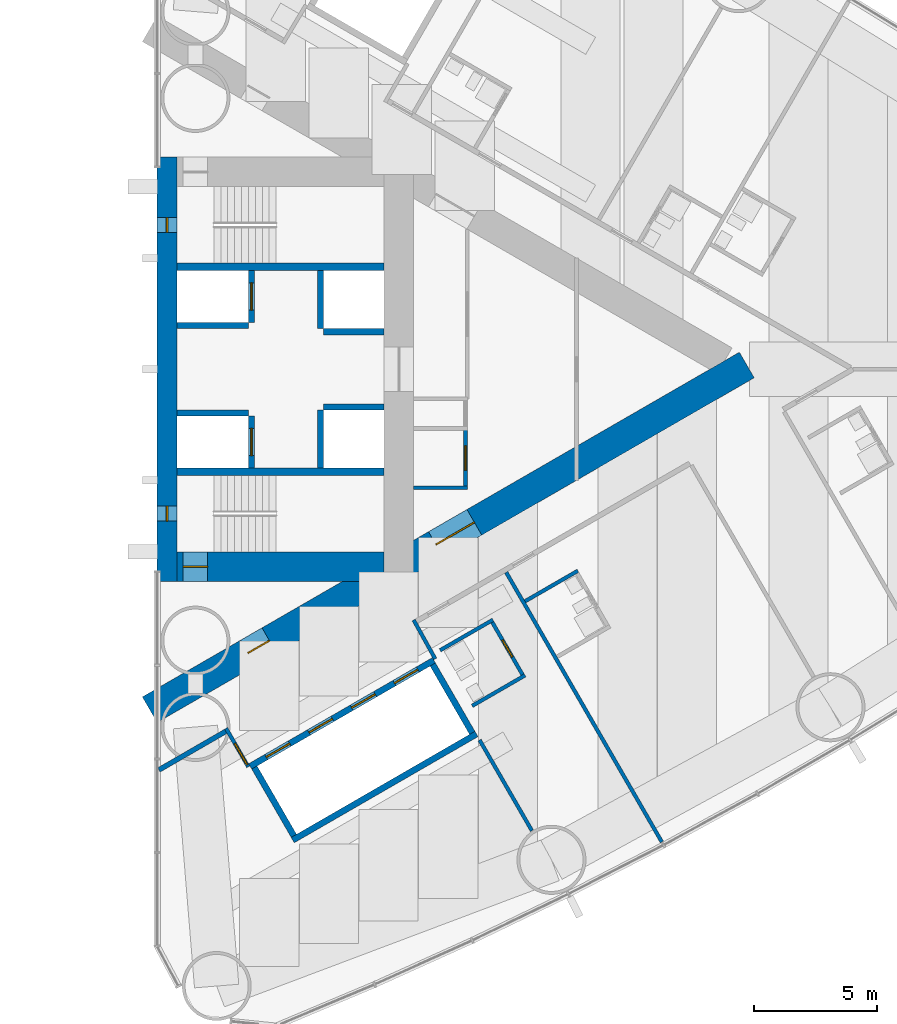
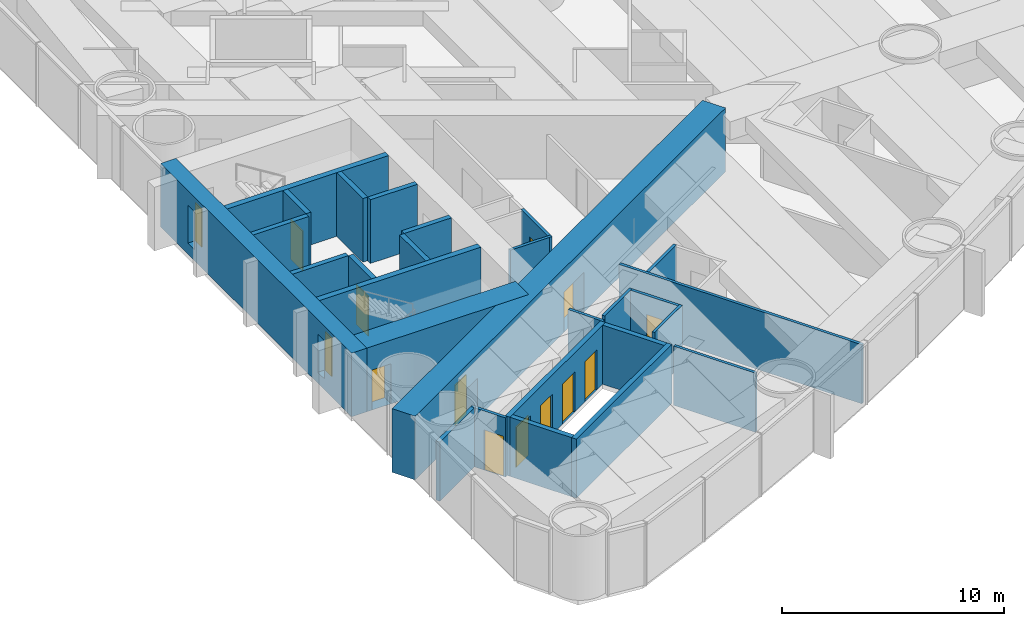
# One storey, part 13 of 18: 28 walls, 12 doors, 2 windows, 14 openings.
"""IFC4 building model written with IfcOpenShell, lengths in metres."""

from ifc_helpers import new_model, si_unit, direction, frame, frame_2d, origin, place, context, subcontext, project, spatial, rectangle, extrude, material, layer, layer_set, type_object, element, fill, save


model = new_model("IFC4")

# Units and contexts
model_context = context("Model", 3, precision=1e-05, world=origin(), true_north=direction((0.0, 1.0)))
body_context = subcontext(model_context, "Body", "Model", "MODEL_VIEW")
ifc_project = project(units=[si_unit("LENGTHUNIT", "METRE"), si_unit("AREAUNIT", "SQUARE_METRE"), si_unit("VOLUMEUNIT", "CUBIC_METRE"), si_unit("PLANEANGLEUNIT", "RADIAN"), si_unit("MASSUNIT", "GRAM", prefix="KILO")], contexts=[model_context])

# Site, building, storey
site_placement = place(None, origin())
site = spatial("IfcSite", under=ifc_project, at=site_placement, CompositionType="ELEMENT")
building_placement = place(site_placement, origin())
building = spatial("IfcBuilding", under=site, at=building_placement, Name="Lancet Gate Hotel", CompositionType="ELEMENT")
storey_placement = place(building_placement, frame((0.0, 0.0, 56.5)))
storey = spatial("IfcBuildingStorey", under=building, at=storey_placement, Name="L14", CompositionType="ELEMENT", Elevation=56.5)

# Walls
ifc_material_1 = material(Name="Moisture resistant board partition")
ifc_layer_1 = layer(ifc_material_1, 0.14990234375)
ifc_layer_set_1 = layer_set([ifc_layer_1], Name="Bathroom wall 150")
wall_type_1 = type_object("IfcWallType", Name="Bathroom wall 150", PredefinedType="PARTITIONING", material=ifc_layer_set_1)
wall_1_placement = place(storey_placement, frame((42.412353515625, -9.405029296875, 0.0), z_axis=(0.0, 0.0, 1.0), x_axis=(0.866006523861, 0.500032699561, 0.0)))
element("IfcWall", 1, at=wall_1_placement, inside=storey, type_object=wall_type_1, Name="T2 bathroom wall 150 L14", PredefinedType="PARTITIONING", context=body_context, shape_type="SweptSolid", body=[
    extrude(rectangle(XDim=2.474853515625, YDim=0.14990234375, at=frame_2d((1.2373046875, 0.0))), origin(), (0.0, 0.0, 1.0), 3.25),
])
wall_2_placement = place(storey_placement, frame((40.269775390625, -13.644287109375, 0.0), z_axis=(0.0, 0.0, 1.0), x_axis=(0.866031185235, 0.4999899861, 0.0)))
element("IfcWall", 2, at=wall_2_placement, inside=storey, type_object=wall_type_1, Name="T2 bathroom wall 150 L14", PredefinedType="PARTITIONING", context=body_context, shape_type="SweptSolid", body=[
    extrude(rectangle(XDim=2.47509765625, YDim=0.14990234375, at=frame_2d((1.237548828125, 0.0))), origin(), (0.0, 0.0, 1.0), 3.25),
])

# Wall, opening, door
wall_3_placement = place(storey_placement, frame((41.04833984375, -10.192626953125, 0.0), z_axis=(0.0, 0.0, 1.0), x_axis=(0.500047596559, -0.865997922154, 0.0)))
wall_3 = element("IfcWall", 3, at=wall_3_placement, inside=storey, type_object=wall_type_1, Name="T2 bathroom wall 150 L14", PredefinedType="PARTITIONING", context=body_context, shape_type="SweptSolid", body=[
    extrude(rectangle(XDim=2.599853515625, YDim=0.14990234375, at=frame_2d((1.2998046875, 0.0))), origin(), (0.0, 0.0, 1.0), 3.25),
])
opening_1_placement = place(wall_3_placement, frame((0.89990234375, 0.0, 0.0)))
opening_1 = element("IfcOpeningElement", 4, at=opening_1_placement, cuts=wall_3, Name="Opening 1453-B", PredefinedType="OPENING", context=body_context, shape_type="SweptSolid", body=[
    extrude(rectangle(XDim=0.800048828125, YDim=2.199951171875, at=frame_2d((0.39990234375, 1.10009765625))), frame((0.0, 0.0849609375, 0.0), z_axis=(0.0, -1.0, 0.0), x_axis=(1.0, 0.0, 0.0)), (0.0, 0.0, 1.0), 0.169921875),
])
ifc_material_2 = material(Name="Timber door set", Category="wood")
door_type_1 = type_object("IfcDoorType", Name="Bathroom door 800", OperationType="SINGLE_SWING_RIGHT", PredefinedType="DOOR", material=ifc_material_2)
door_1_placement = place(opening_1_placement, origin())
door_1 = element("IfcDoor", 5, at=door_1_placement, inside=storey, type_object=door_type_1, Name="1453-B", OperationType="SINGLE_SWING_RIGHT", OverallHeight=2.199951171875, OverallWidth=0.800048828125, PredefinedType="DOOR", context=body_context, shape_type="SweptSolid", body=[
    extrude(rectangle(XDim=0.800048828125, YDim=2.199951171875, at=frame_2d((0.39990234375, 1.10009765625))), frame((0.0, 0.02490234375, 0.0), z_axis=(0.0, -1.0, 0.0), x_axis=(1.0, 0.0, 0.0)), (0.0, 0.0, 1.0), 0.050048828125),
])
fill(opening_1, door_1)

# Wall
wall_4_placement = place(storey_placement, frame((38.9697265625, -11.392578125, 0.0), z_axis=(0.0, 0.0, 1.0), x_axis=(0.866031185235, 0.4999899861, 0.0)))
element("IfcWall", 6, at=wall_4_placement, inside=storey, type_object=wall_type_1, Name="T2 bathroom wall 150 L14", PredefinedType="PARTITIONING", context=body_context, shape_type="SweptSolid", body=[
    extrude(rectangle(XDim=2.47509765625, YDim=0.14990234375, at=frame_2d((1.237548828125, 0.0))), origin(), (0.0, 0.0, 1.0), 3.25),
])

# Wall, openings, doors
ifc_material_3 = material(Name="Concrete C70/85", Category="concrete")
ifc_layer_2 = layer(ifc_material_3, 1.199951171875)
ifc_layer_set_2 = layer_set([ifc_layer_2], Name="Buttress wall 1200")
wall_type_2 = type_object("IfcWallType", Name="Buttress wall 1200", PredefinedType="SHEAR", material=ifc_layer_set_2)
wall_5_placement = place(storey_placement, frame((27.199951171875, -13.800048828125, 0.0), z_axis=(0.0, 0.0, 1.0), x_axis=(0.866027159892, 0.499996958321, 0.0)))
wall_5 = element("IfcWall", 7, at=wall_5_placement, inside=storey, type_object=wall_type_2, Name="T2 buttress wall S L14", PredefinedType="SHEAR", context=body_context, shape_type="SweptSolid", body=[
    extrude(rectangle(XDim=27.946533203125, YDim=1.199951171875, at=frame_2d((13.97314453125, 0.0))), origin(), (0.0, 0.0, 1.0), 3.5),
])
opening_2_placement = place(wall_5_placement, frame((4.60009765625, 0.0, 0.0)))
opening_2 = element("IfcOpeningElement", 8, at=opening_2_placement, cuts=wall_5, Name="Opening T2-L14-LS", PredefinedType="OPENING", context=body_context, shape_type="SweptSolid", body=[
    extrude(rectangle(XDim=1.0, YDim=2.199951171875, at=frame_2d((0.5, 1.10009765625))), frame((0.0, 0.60986328125, 0.0), z_axis=(0.0, -1.0, 0.0), x_axis=(1.0, 0.0, 0.0)), (0.0, 0.0, 1.0), 1.219970703125),
])
opening_3_placement = place(wall_5_placement, frame((13.39453125, 0.0, 0.0)))
opening_3 = element("IfcOpeningElement", 9, at=opening_3_placement, cuts=wall_5, Name="Opening T2-L14-LHS", PredefinedType="OPENING", context=body_context, shape_type="SweptSolid", body=[
    extrude(rectangle(XDim=1.800048828125, YDim=2.199951171875, at=frame_2d((0.89990234375, 1.10009765625))), frame((0.0, 0.60986328125, 0.0), z_axis=(0.0, -1.0, 0.0), x_axis=(1.0, 0.0, 0.0)), (0.0, 0.0, 1.0), 1.219970703125),
])
ifc_material_4 = material(Name="Timber door set", Category="wood")
door_type_2 = type_object("IfcDoorType", Name="Lobby double door 1800", OperationType="DOUBLE_DOOR_SINGLE_SWING", PredefinedType="DOOR", material=ifc_material_4)
door_2_placement = place(opening_3_placement, origin())
door_2 = element("IfcDoor", 10, at=door_2_placement, inside=storey, type_object=door_type_2, Name="T2-L14-LHS", OperationType="DOUBLE_DOOR_SINGLE_SWING", OverallHeight=2.199951171875, OverallWidth=1.800048828125, PredefinedType="DOOR", context=body_context, shape_type="SweptSolid", body=[
    extrude(rectangle(XDim=1.800048828125, YDim=2.199951171875, at=frame_2d((0.89990234375, 1.10009765625))), frame((0.0, 0.02490234375, 0.0), z_axis=(0.0, -1.0, 0.0), x_axis=(1.0, 0.0, 0.0)), (0.0, 0.0, 1.0), 0.050048828125),
])
fill(opening_3, door_2)
ifc_material_5 = material(Name="Timber door set", Category="wood")
door_type_3 = type_object("IfcDoorType", Name="Stair lobby door 1000", OperationType="SINGLE_SWING_LEFT", PredefinedType="DOOR", material=ifc_material_5)
door_3_placement = place(opening_2_placement, origin())
door_3 = element("IfcDoor", 11, at=door_3_placement, inside=storey, type_object=door_type_3, Name="T2-L14-LS", OperationType="SINGLE_SWING_LEFT", OverallHeight=2.199951171875, OverallWidth=1.0, PredefinedType="DOOR", context=body_context, shape_type="SweptSolid", body=[
    extrude(rectangle(XDim=1.0, YDim=2.199951171875, at=frame_2d((0.5, 1.10009765625))), frame((0.0, 0.02490234375, 0.0), z_axis=(0.0, -1.0, 0.0), x_axis=(1.0, 0.0, 0.0)), (0.0, 0.0, 1.0), 0.050048828125),
])
fill(opening_2, door_3)

# Wall, opening, door
ifc_material_6 = material(Name="Concrete C70/85", Category="concrete")
ifc_layer_3 = layer(ifc_material_6, 1.199951171875)
ifc_layer_set_3 = layer_set([ifc_layer_3], Name="Core wall 1200")
wall_type_3 = type_object("IfcWallType", Name="Core wall 1200", PredefinedType="SHEAR", material=ifc_layer_set_3)
wall_6_placement = place(storey_placement, frame((28.300048828125, -8.0, 0.0), z_axis=(0.0, 0.0, 1.0), x_axis=(1.0, 0.0, 0.0)))
wall_6 = element("IfcWall", 12, at=wall_6_placement, inside=storey, type_object=wall_type_3, Name="T2 core wall side-S L14", PredefinedType="SHEAR", context=body_context, shape_type="SweptSolid", body=[
    extrude(rectangle(XDim=8.39990234375, YDim=1.199951171875, at=frame_2d((4.199951171875, 0.0))), origin(), (0.0, 0.0, 1.0), 3.5),
])
opening_4_placement = place(wall_6_placement, frame((0.25, 0.0, 0.0)))
opening_4 = element("IfcOpeningElement", 13, at=opening_4_placement, cuts=wall_6, Name="Opening T2-L14-ST1", PredefinedType="OPENING", context=body_context, shape_type="SweptSolid", body=[
    extrude(rectangle(XDim=1.0, YDim=2.199951171875, at=frame_2d((0.5, 1.10009765625))), frame((0.0, 0.60986328125, 0.0), z_axis=(0.0, -1.0, 0.0), x_axis=(1.0, 0.0, 0.0)), (0.0, 0.0, 1.0), 1.219970703125),
])
ifc_material_7 = material(Name="Timber door set", Category="wood")
door_type_4 = type_object("IfcDoorType", Name="Stair door 1000", OperationType="SINGLE_SWING_RIGHT", PredefinedType="DOOR", material=ifc_material_7)
door_4_placement = place(opening_4_placement, origin())
door_4 = element("IfcDoor", 14, at=door_4_placement, inside=storey, type_object=door_type_4, Name="T2-L14-ST1", OperationType="SINGLE_SWING_RIGHT", OverallHeight=2.199951171875, OverallWidth=1.0, PredefinedType="DOOR", context=body_context, shape_type="SweptSolid", body=[
    extrude(rectangle(XDim=1.0, YDim=2.199951171875, at=frame_2d((0.5, 1.10009765625))), frame((0.0, 0.02490234375, 0.0), z_axis=(0.0, -1.0, 0.0), x_axis=(1.0, 0.0, 0.0)), (0.0, 0.0, 1.0), 0.050048828125),
])
fill(opening_4, door_4)

# Wall, openings, windows
ifc_material_8 = material(Name="Concrete C70/85", Category="concrete")
ifc_layer_4 = layer(ifc_material_8, 0.800048828125)
ifc_layer_set_4 = layer_set([ifc_layer_4], Name="Core wall 800")
wall_type_4 = type_object("IfcWallType", Name="Core wall 800", PredefinedType="SHEAR", material=ifc_layer_set_4)
wall_7_placement = place(storey_placement, frame((27.89990234375, -8.60009765625, 0.0), z_axis=(0.0, 0.0, 1.0), x_axis=(0.0, 1.0, 0.0)))
wall_7 = element("IfcWall", 15, at=wall_7_placement, inside=storey, type_object=wall_type_4, Name="T2 core wall front L14", PredefinedType="SHEAR", context=body_context, shape_type="SweptSolid", body=[
    extrude(rectangle(XDim=17.2001953125, YDim=0.800048828125, at=frame_2d((8.60009765625, 0.0))), origin(), (0.0, 0.0, 1.0), 3.5),
])
opening_5_placement = place(wall_7_placement, frame((2.449951171875, 0.0, 0.60009765625)))
opening_5 = element("IfcOpeningElement", 16, at=opening_5_placement, cuts=wall_7, Name="Opening LW1", PredefinedType="OPENING", context=body_context, shape_type="SweptSolid", body=[
    extrude(rectangle(XDim=0.60009765625, YDim=2.10009765625, at=frame_2d((0.300048828125, 1.050048828125))), frame((0.0, 0.409912109375, 0.0), z_axis=(0.0, -1.0, 0.0), x_axis=(1.0, 0.0, 0.0)), (0.0, 0.0, 1.0), 0.820068359375),
])
opening_6_placement = place(wall_7_placement, frame((14.14990234375, 0.0, 0.60009765625)))
opening_6 = element("IfcOpeningElement", 17, at=opening_6_placement, cuts=wall_7, Name="Opening LW1", PredefinedType="OPENING", context=body_context, shape_type="SweptSolid", body=[
    extrude(rectangle(XDim=0.60009765625, YDim=2.10009765625, at=frame_2d((0.300048828125, 1.050048828125))), frame((0.0, 0.409912109375, 0.0), z_axis=(0.0, -1.0, 0.0), x_axis=(1.0, 0.0, 0.0)), (0.0, 0.0, 1.0), 0.820068359375),
])
ifc_material_9 = material(Name="Fire-resisting glazed steel window", Category="steel")
window_type = type_object("IfcWindowType", Name="Lancet window 600x2100", PartitioningType="SINGLE_PANEL", PredefinedType="WINDOW", material=ifc_material_9)
window_1_placement = place(opening_5_placement, origin())
window_1 = element("IfcWindow", 18, at=window_1_placement, inside=storey, type_object=window_type, Name="T2 stair window S L14", OverallHeight=2.10009765625, OverallWidth=0.60009765625, PartitioningType="SINGLE_PANEL", PredefinedType="WINDOW", context=body_context, shape_type="SweptSolid", body=[
    extrude(rectangle(XDim=0.60009765625, YDim=2.10009765625, at=frame_2d((0.300048828125, 1.050048828125))), frame((0.0, 0.030029296875, 0.0), z_axis=(0.0, -1.0, 0.0), x_axis=(1.0, 0.0, 0.0)), (0.0, 0.0, 1.0), 0.06005859375),
])
fill(opening_5, window_1)
window_2_placement = place(opening_6_placement, origin())
window_2 = element("IfcWindow", 19, at=window_2_placement, inside=storey, type_object=window_type, Name="T2 stair window N L14", OverallHeight=2.10009765625, OverallWidth=0.60009765625, PartitioningType="SINGLE_PANEL", PredefinedType="WINDOW", context=body_context, shape_type="SweptSolid", body=[
    extrude(rectangle(XDim=0.60009765625, YDim=2.10009765625, at=frame_2d((0.300048828125, 1.050048828125))), frame((0.0, 0.030029296875, 0.0), z_axis=(0.0, -1.0, 0.0), x_axis=(1.0, 0.0, 0.0)), (0.0, 0.0, 1.0), 0.06005859375),
])
fill(opening_6, window_2)

# Wall
ifc_material_10 = material(Name="Gypsum board partition")
ifc_layer_5 = layer(ifc_material_10, 0.199951171875)
ifc_layer_set_5 = layer_set([ifc_layer_5], Name="Corridor wall 200")
wall_type_5 = type_object("IfcWallType", Name="Corridor wall 200", PredefinedType="PARTITIONING", material=ifc_layer_set_5)
wall_8_placement = place(storey_placement, frame((27.572021484375, -16.240966796875, 0.0), z_axis=(0.0, 0.0, 1.0), x_axis=(0.866029654818, 0.499992636921, 0.0)))
element("IfcWall", 20, at=wall_8_placement, inside=storey, type_object=wall_type_5, Name="T2 corridor wall 200 L14", PredefinedType="PARTITIONING", context=body_context, shape_type="SweptSolid", body=[
    extrude(rectangle(XDim=3.15478515625, YDim=0.199951171875, at=frame_2d((1.577392578125, 0.0))), origin(), (0.0, 0.0, 1.0), 3.25),
])

# Wall, openings, doors
ifc_material_11 = material(Name="Gypsum board partition")
ifc_layer_6 = layer(ifc_material_11, 0.25)
ifc_layer_set_6 = layer_set([ifc_layer_6], Name="Lift shaft partition 250")
wall_type_6 = type_object("IfcWallType", Name="Lift shaft partition 250", PredefinedType="PARTITIONING", material=ifc_layer_set_6)
wall_9_placement = place(storey_placement, frame((31.2705078125, -16.09716796875, 0.0), z_axis=(0.0, 0.0, 1.0), x_axis=(0.86604045752, 0.499973925258, 0.0)))
wall_9 = element("IfcWall", 21, at=wall_9_placement, inside=storey, type_object=wall_type_6, Name="T2 lift shaft wall LR L14", PredefinedType="PARTITIONING", context=body_context, shape_type="SweptSolid", body=[
    extrude(rectangle(XDim=8.60009765625, YDim=0.25, at=frame_2d((4.300048828125, 0.0))), origin(), (0.0, 0.0, 1.0), 3.25),
])
opening_7_placement = place(wall_9_placement, frame((0.75, 0.0, 0.0)))
opening_7 = element("IfcOpeningElement", 22, at=opening_7_placement, cuts=wall_9, Name="Opening T2-LR1-L14", PredefinedType="OPENING", context=body_context, shape_type="SweptSolid", body=[
    extrude(rectangle(XDim=1.10009765625, YDim=2.199951171875, at=frame_2d((0.550048828125, 1.10009765625))), frame((0.0, 0.135009765625, 0.0), z_axis=(0.0, -1.0, 0.0), x_axis=(1.0, 0.0, 0.0)), (0.0, 0.0, 1.0), 0.27001953125),
])
opening_8_placement = place(wall_9_placement, frame((2.75, 0.0, 0.0)))
opening_8 = element("IfcOpeningElement", 23, at=opening_8_placement, cuts=wall_9, Name="Opening T2-LR2-L14", PredefinedType="OPENING", context=body_context, shape_type="SweptSolid", body=[
    extrude(rectangle(XDim=1.10009765625, YDim=2.199951171875, at=frame_2d((0.550048828125, 1.10009765625))), frame((0.0, 0.135009765625, 0.0), z_axis=(0.0, -1.0, 0.0), x_axis=(1.0, 0.0, 0.0)), (0.0, 0.0, 1.0), 0.27001953125),
])
opening_9_placement = place(wall_9_placement, frame((4.75, 0.0, 0.0)))
opening_9 = element("IfcOpeningElement", 24, at=opening_9_placement, cuts=wall_9, Name="Opening T2-LR3-L14", PredefinedType="OPENING", context=body_context, shape_type="SweptSolid", body=[
    extrude(rectangle(XDim=1.10009765625, YDim=2.199951171875, at=frame_2d((0.550048828125, 1.10009765625))), frame((0.0, 0.135009765625, 0.0), z_axis=(0.0, -1.0, 0.0), x_axis=(1.0, 0.0, 0.0)), (0.0, 0.0, 1.0), 0.27001953125),
])
opening_10_placement = place(wall_9_placement, frame((6.75, 0.0, 0.0)))
opening_10 = element("IfcOpeningElement", 25, at=opening_10_placement, cuts=wall_9, Name="Opening T2-LR4-L14", PredefinedType="OPENING", context=body_context, shape_type="SweptSolid", body=[
    extrude(rectangle(XDim=1.10009765625, YDim=2.199951171875, at=frame_2d((0.550048828125, 1.10009765625))), frame((0.0, 0.135009765625, 0.0), z_axis=(0.0, -1.0, 0.0), x_axis=(1.0, 0.0, 0.0)), (0.0, 0.0, 1.0), 0.27001953125),
])
ifc_material_12 = material(Name="Steel door set", Category="steel")
door_type_5 = type_object("IfcDoorType", Name="Lift landing door 1100", OperationType="DOUBLE_DOOR_SLIDING", PredefinedType="USERDEFINED", material=ifc_material_12)
door_5_placement = place(opening_7_placement, origin())
door_5 = element("IfcDoor", 26, at=door_5_placement, inside=storey, type_object=door_type_5, Name="T2-LR1-L14", ObjectType="LIFT LANDING DOOR", OperationType="DOUBLE_DOOR_SLIDING", OverallHeight=2.199951171875, OverallWidth=1.10009765625, PredefinedType="USERDEFINED", context=body_context, shape_type="SweptSolid", body=[
    extrude(rectangle(XDim=1.10009765625, YDim=2.199951171875, at=frame_2d((0.550048828125, 1.10009765625))), frame((0.0, 0.02490234375, 0.0), z_axis=(0.0, -1.0, 0.0), x_axis=(1.0, 0.0, 0.0)), (0.0, 0.0, 1.0), 0.050048828125),
])
fill(opening_7, door_5)
door_6_placement = place(opening_8_placement, origin())
door_6 = element("IfcDoor", 27, at=door_6_placement, inside=storey, type_object=door_type_5, Name="T2-LR2-L14", ObjectType="LIFT LANDING DOOR", OperationType="DOUBLE_DOOR_SLIDING", OverallHeight=2.199951171875, OverallWidth=1.10009765625, PredefinedType="USERDEFINED", context=body_context, shape_type="SweptSolid", body=[
    extrude(rectangle(XDim=1.10009765625, YDim=2.199951171875, at=frame_2d((0.550048828125, 1.10009765625))), frame((0.0, 0.02490234375, 0.0), z_axis=(0.0, -1.0, 0.0), x_axis=(1.0, 0.0, 0.0)), (0.0, 0.0, 1.0), 0.050048828125),
])
fill(opening_8, door_6)
door_7_placement = place(opening_9_placement, origin())
door_7 = element("IfcDoor", 28, at=door_7_placement, inside=storey, type_object=door_type_5, Name="T2-LR3-L14", ObjectType="LIFT LANDING DOOR", OperationType="DOUBLE_DOOR_SLIDING", OverallHeight=2.199951171875, OverallWidth=1.10009765625, PredefinedType="USERDEFINED", context=body_context, shape_type="SweptSolid", body=[
    extrude(rectangle(XDim=1.10009765625, YDim=2.199951171875, at=frame_2d((0.550048828125, 1.10009765625))), frame((0.0, 0.02490234375, 0.0), z_axis=(0.0, -1.0, 0.0), x_axis=(1.0, 0.0, 0.0)), (0.0, 0.0, 1.0), 0.050048828125),
])
fill(opening_9, door_7)
door_8_placement = place(opening_10_placement, origin())
door_8 = element("IfcDoor", 29, at=door_8_placement, inside=storey, type_object=door_type_5, Name="T2-LR4-L14", ObjectType="LIFT LANDING DOOR", OperationType="DOUBLE_DOOR_SLIDING", OverallHeight=2.199951171875, OverallWidth=1.10009765625, PredefinedType="USERDEFINED", context=body_context, shape_type="SweptSolid", body=[
    extrude(rectangle(XDim=1.10009765625, YDim=2.199951171875, at=frame_2d((0.550048828125, 1.10009765625))), frame((0.0, 0.02490234375, 0.0), z_axis=(0.0, -1.0, 0.0), x_axis=(1.0, 0.0, 0.0)), (0.0, 0.0, 1.0), 0.050048828125),
])
fill(opening_10, door_8)

# Walls
wall_10_placement = place(storey_placement, frame((32.99560546875, -19.085693359375, 0.0), z_axis=(0.0, 0.0, 1.0), x_axis=(0.866028165386, 0.499995216735, 0.0)))
element("IfcWall", 30, at=wall_10_placement, inside=storey, type_object=wall_type_6, Name="T2 lift shaft wall LR L14", PredefinedType="PARTITIONING", context=body_context, shape_type="SweptSolid", body=[
    extrude(rectangle(XDim=8.60009765625, YDim=0.25, at=frame_2d((4.300048828125, 0.0))), origin(), (0.0, 0.0, 1.0), 3.25),
])
for number, where, z_axis, x_axis, name in (
    (31, (31.441162109375, -16.14306640625, 0.0), (0.0, 0.0, 1.0), (0.499929347863, -0.866066190972, 0.0), "T2 lift shaft wall LR L14"),
    (32, (38.672607421875, -11.968017578125, 0.0), (0.0, 0.0, 1.0), (0.499929347863, -0.866066190972, 0.0), "T2 lift shaft wall LR L14"),
):
    element("IfcWall", number, at=place(storey_placement, frame(where, z_axis=z_axis, x_axis=x_axis)), inside=storey, type_object=wall_type_6, Name=name, PredefinedType="PARTITIONING", context=body_context, shape_type="SweptSolid", body=[
        extrude(rectangle(XDim=3.20068359375, YDim=0.25, at=frame_2d((1.600341796875, 0.0))), origin(), (0.0, 0.0, 1.0), 3.25),
    ])

# Wall, opening, door
ifc_material_13 = material(Name="Concrete C50/60", Category="concrete")
ifc_layer_7 = layer(ifc_material_13, 0.25)
ifc_layer_set_7 = layer_set([ifc_layer_7], Name="Lift shaft wall 250")
wall_type_7 = type_object("IfcWallType", Name="Lift shaft wall 250", PredefinedType="SHEAR", material=ifc_layer_set_7)
wall_11_placement = place(storey_placement, frame((31.324951171875, -4.0, 0.0), z_axis=(0.0, 0.0, 1.0), x_axis=(0.0, 1.0, 0.0)))
wall_11 = element("IfcWall", 33, at=wall_11_placement, inside=storey, type_object=wall_type_7, Name="T2 core wall row1-S L14", PredefinedType="SHEAR", context=body_context, shape_type="SweptSolid", body=[
    extrude(rectangle(XDim=2.10009765625, YDim=0.25, at=frame_2d((1.050048828125, 0.0))), origin(), (0.0, 0.0, 1.0), 3.5),
])
opening_11_placement = place(wall_11_placement, frame((0.5, 0.0, 0.0)))
opening_11 = element("IfcOpeningElement", 34, at=opening_11_placement, cuts=wall_11, Name="Opening T2-SL1-L14", PredefinedType="OPENING", context=body_context, shape_type="SweptSolid", body=[
    extrude(rectangle(XDim=1.10009765625, YDim=2.199951171875, at=frame_2d((0.550048828125, 1.10009765625))), frame((0.0, 0.135009765625, 0.0), z_axis=(0.0, -1.0, 0.0), x_axis=(1.0, 0.0, 0.0)), (0.0, 0.0, 1.0), 0.27001953125),
])
ifc_material_14 = material(Name="Timber door set", Category="wood")
door_type_6 = type_object("IfcDoorType", Name="Service lift landing door 1100", OperationType="SLIDING_TO_LEFT", PredefinedType="USERDEFINED", material=ifc_material_14)
door_9_placement = place(opening_11_placement, origin())
door_9 = element("IfcDoor", 35, at=door_9_placement, inside=storey, type_object=door_type_6, Name="T2-SL1-L14", ObjectType="LIFT LANDING DOOR", OperationType="SLIDING_TO_LEFT", OverallHeight=2.199951171875, OverallWidth=1.10009765625, PredefinedType="USERDEFINED", context=body_context, shape_type="SweptSolid", body=[
    extrude(rectangle(XDim=1.10009765625, YDim=2.199951171875, at=frame_2d((0.550048828125, 1.10009765625))), frame((0.0, 0.02490234375, 0.0), z_axis=(0.0, -1.0, 0.0), x_axis=(1.0, 0.0, 0.0)), (0.0, 0.0, 1.0), 0.050048828125),
])
fill(opening_11, door_9)

# Walls
wall_12_placement = place(storey_placement, frame((34.125, -4.0, 0.0), z_axis=(0.0, 0.0, 1.0), x_axis=(0.0, 1.0, 0.0)))
element("IfcWall", 36, at=wall_12_placement, inside=storey, type_object=wall_type_7, Name="T2 core wall row2-S L14", PredefinedType="SHEAR", context=body_context, shape_type="SweptSolid", body=[
    extrude(rectangle(XDim=2.35009765625, YDim=0.25, at=frame_2d((1.175048828125, 0.0))), origin(), (0.0, 0.0, 1.0), 3.5),
])
wall_13_placement = place(storey_placement, frame((28.300048828125, -1.77490234375, 0.0), z_axis=(0.0, 0.0, 1.0), x_axis=(1.0, 0.0, 0.0)))
element("IfcWall", 37, at=wall_13_placement, inside=storey, type_object=wall_type_7, Name="T2 core wall pass1-S L14", PredefinedType="SHEAR", context=body_context, shape_type="SweptSolid", body=[
    extrude(rectangle(XDim=2.89990234375, YDim=0.25, at=frame_2d((1.449951171875, 0.0))), origin(), (0.0, 0.0, 1.0), 3.5),
])
wall_14_placement = place(storey_placement, frame((34.25, -1.52490234375, 0.0), z_axis=(0.0, 0.0, 1.0), x_axis=(1.0, 0.0, 0.0)))
element("IfcWall", 38, at=wall_14_placement, inside=storey, type_object=wall_type_7, Name="T2 core wall pass2-S L14", PredefinedType="SHEAR", context=body_context, shape_type="SweptSolid", body=[
    extrude(rectangle(XDim=2.449951171875, YDim=0.25, at=frame_2d((1.22509765625, 0.0))), origin(), (0.0, 0.0, 1.0), 3.5),
])

# Wall, opening, door
wall_15_placement = place(storey_placement, frame((31.324951171875, 1.89990234375, 0.0), z_axis=(0.0, 0.0, 1.0), x_axis=(0.0, 1.0, 0.0)))
wall_15 = element("IfcWall", 39, at=wall_15_placement, inside=storey, type_object=wall_type_7, Name="T2 core wall row1-N L14", PredefinedType="SHEAR", context=body_context, shape_type="SweptSolid", body=[
    extrude(rectangle(XDim=2.10009765625, YDim=0.25, at=frame_2d((1.050048828125, 0.0))), origin(), (0.0, 0.0, 1.0), 3.5),
])
opening_12_placement = place(wall_15_placement, frame((0.5, 0.0, 0.0)))
opening_12 = element("IfcOpeningElement", 40, at=opening_12_placement, cuts=wall_15, Name="Opening T2-FL2-L14", PredefinedType="OPENING", context=body_context, shape_type="SweptSolid", body=[
    extrude(rectangle(XDim=1.10009765625, YDim=2.199951171875, at=frame_2d((0.550048828125, 1.10009765625))), frame((0.0, 0.135009765625, 0.0), z_axis=(0.0, -1.0, 0.0), x_axis=(1.0, 0.0, 0.0)), (0.0, 0.0, 1.0), 0.27001953125),
])
ifc_material_15 = material(Name="Steel door set", Category="steel")
door_type_7 = type_object("IfcDoorType", Name="Firefighting lift landing door 1100", OperationType="SLIDING_TO_LEFT", PredefinedType="USERDEFINED", material=ifc_material_15)
door_10_placement = place(opening_12_placement, origin())
door_10 = element("IfcDoor", 41, at=door_10_placement, inside=storey, type_object=door_type_7, Name="T2-FL2-L14", ObjectType="LIFT LANDING DOOR", OperationType="SLIDING_TO_LEFT", OverallHeight=2.199951171875, OverallWidth=1.10009765625, PredefinedType="USERDEFINED", context=body_context, shape_type="SweptSolid", body=[
    extrude(rectangle(XDim=1.10009765625, YDim=2.199951171875, at=frame_2d((0.550048828125, 1.10009765625))), frame((0.0, 0.02490234375, 0.0), z_axis=(0.0, -1.0, 0.0), x_axis=(1.0, 0.0, 0.0)), (0.0, 0.0, 1.0), 0.050048828125),
])
fill(opening_12, door_10)

# Walls
wall_16_placement = place(storey_placement, frame((34.125, 1.64990234375, 0.0), z_axis=(0.0, 0.0, 1.0), x_axis=(0.0, 1.0, 0.0)))
element("IfcWall", 42, at=wall_16_placement, inside=storey, type_object=wall_type_7, Name="T2 core wall row2-N L14", PredefinedType="SHEAR", context=body_context, shape_type="SweptSolid", body=[
    extrude(rectangle(XDim=2.35009765625, YDim=0.25, at=frame_2d((1.175048828125, 0.0))), origin(), (0.0, 0.0, 1.0), 3.5),
])
wall_17_placement = place(storey_placement, frame((28.300048828125, 1.77490234375, 0.0), z_axis=(0.0, 0.0, 1.0), x_axis=(1.0, 0.0, 0.0)))
element("IfcWall", 43, at=wall_17_placement, inside=storey, type_object=wall_type_7, Name="T2 core wall pass1-N L14", PredefinedType="SHEAR", context=body_context, shape_type="SweptSolid", body=[
    extrude(rectangle(XDim=2.89990234375, YDim=0.25, at=frame_2d((1.449951171875, 0.0))), origin(), (0.0, 0.0, 1.0), 3.5),
])
wall_18_placement = place(storey_placement, frame((34.25, 1.52490234375, 0.0), z_axis=(0.0, 0.0, 1.0), x_axis=(1.0, 0.0, 0.0)))
element("IfcWall", 44, at=wall_18_placement, inside=storey, type_object=wall_type_7, Name="T2 core wall pass2-N L14", PredefinedType="SHEAR", context=body_context, shape_type="SweptSolid", body=[
    extrude(rectangle(XDim=2.449951171875, YDim=0.25, at=frame_2d((1.22509765625, 0.0))), origin(), (0.0, 0.0, 1.0), 3.5),
])
ifc_material_16 = material(Name="Gypsum board partition")
ifc_layer_8 = layer(ifc_material_16, 0.14990234375)
ifc_layer_set_8 = layer_set([ifc_layer_8], Name="Party wall 150")
wall_type_8 = type_object("IfcWallType", Name="Party wall 150", PredefinedType="PARTITIONING", material=ifc_layer_set_8)
wall_19_placement = place(storey_placement, frame((41.6474609375, -8.22998046875, 0.0), z_axis=(0.0, 0.0, 1.0), x_axis=(0.49998590462, -0.866033541603, 0.0)))
element("IfcWall", 45, at=wall_19_placement, inside=storey, type_object=wall_type_8, Name="T2 party wall 150 L14", PredefinedType="PARTITIONING", context=body_context, shape_type="SweptSolid", body=[
    extrude(rectangle(XDim=12.620849609375, YDim=0.14990234375, at=frame_2d((6.310546875, 0.0))), origin(), (0.0, 0.0, 1.0), 3.25),
])
wall_20_placement = place(storey_placement, frame((40.5703125, -15.030029296875, 0.0), z_axis=(0.0, 0.0, 1.0), x_axis=(0.500012993597, -0.866017901798, 0.0)))
element("IfcWall", 46, at=wall_20_placement, inside=storey, type_object=wall_type_8, Name="T2 party wall 150 L14", PredefinedType="PARTITIONING", context=body_context, shape_type="SweptSolid", body=[
    extrude(rectangle(XDim=4.2431640625, YDim=0.14990234375, at=frame_2d((2.12158203125, 0.0))), origin(), (0.0, 0.0, 1.0), 3.25),
])
ifc_material_17 = material(Name="Gypsum board partition")
ifc_layer_9 = layer(ifc_material_17, 0.14990234375)
ifc_layer_set_9 = layer_set([ifc_layer_9], Name="Service room wall 150")
wall_type_9 = type_object("IfcWallType", Name="Service room wall 150", PredefinedType="PARTITIONING", material=ifc_layer_set_9)
wall_21_placement = place(storey_placement, frame((38.7734375, -11.742431640625, 0.0), z_axis=(0.0, 0.0, 1.0), x_axis=(-0.485528096672, 0.8742210632, 0.0)))
element("IfcWall", 47, at=wall_21_placement, inside=storey, type_object=wall_type_9, Name="T2 service room wall 150 L14", PredefinedType="PARTITIONING", context=body_context, shape_type="SweptSolid", body=[
    extrude(rectangle(XDim=1.80517578125, YDim=0.14990234375, at=frame_2d((0.902587890625, 0.0))), origin(), (0.0, 0.0, 1.0), 3.25),
])

# Wall, opening, door
wall_22_placement = place(storey_placement, frame((30.293212890625, -14.554443359375, 0.0), z_axis=(0.0, 0.0, 1.0), x_axis=(0.499980071345, -0.866036909293, 0.0)))
wall_22 = element("IfcWall", 48, at=wall_22_placement, inside=storey, type_object=wall_type_9, Name="T2 service room wall 150 L14", PredefinedType="PARTITIONING", context=body_context, shape_type="SweptSolid", body=[
    extrude(rectangle(XDim=1.8046875, YDim=0.14990234375, at=frame_2d((0.90234375, 0.0))), origin(), (0.0, 0.0, 1.0), 3.25),
])
opening_13_placement = place(wall_22_placement, frame((0.701904296875, 0.0, 0.0)))
opening_13 = element("IfcOpeningElement", 49, at=opening_13_placement, cuts=wall_22, Name="Opening T2-L14-LO1", PredefinedType="OPENING", context=body_context, shape_type="SweptSolid", body=[
    extrude(rectangle(XDim=1.0, YDim=2.199951171875, at=frame_2d((0.5, 1.10009765625))), frame((0.0, 0.0849609375, 0.0), z_axis=(0.0, -1.0, 0.0), x_axis=(1.0, 0.0, 0.0)), (0.0, 0.0, 1.0), 0.169921875),
])
ifc_material_18 = material(Name="Timber door set", Category="wood")
door_type_8 = type_object("IfcDoorType", Name="Service door 1000", OperationType="SINGLE_SWING_LEFT", PredefinedType="DOOR", material=ifc_material_18)
door_11_placement = place(opening_13_placement, origin())
door_11 = element("IfcDoor", 50, at=door_11_placement, inside=storey, type_object=door_type_8, Name="T2-L14-LO1", OperationType="SINGLE_SWING_LEFT", OverallHeight=2.199951171875, OverallWidth=1.0, PredefinedType="DOOR", context=body_context, shape_type="SweptSolid", body=[
    extrude(rectangle(XDim=1.0, YDim=2.199951171875, at=frame_2d((0.5, 1.10009765625))), frame((0.0, 0.02490234375, 0.0), z_axis=(0.0, -1.0, 0.0), x_axis=(1.0, 0.0, 0.0)), (0.0, 0.0, 1.0), 0.050048828125),
])
fill(opening_13, door_11)

# Wall
wall_23_placement = place(storey_placement, frame((37.89990234375, -4.800048828125, 0.0), z_axis=(0.0, 0.0, 1.0), x_axis=(1.0, 0.0, 0.0)))
element("IfcWall", 51, at=wall_23_placement, inside=storey, type_object=wall_type_9, Name="T2 service room wall 150 L14", PredefinedType="PARTITIONING", context=body_context, shape_type="SweptSolid", body=[
    extrude(rectangle(XDim=2.175048828125, YDim=0.14990234375, at=frame_2d((1.08740234375, 0.0))), origin(), (0.0, 0.0, 1.0), 3.25),
])

# Wall, opening, door
wall_24_placement = place(storey_placement, frame((40.0, -4.875, 0.0), z_axis=(0.0, 0.0, 1.0), x_axis=(0.0, 1.0, 0.0)))
wall_24 = element("IfcWall", 52, at=wall_24_placement, inside=storey, type_object=wall_type_9, Name="T2 service room wall 150 L14", PredefinedType="PARTITIONING", context=body_context, shape_type="SweptSolid", body=[
    extrude(rectangle(XDim=2.550048828125, YDim=0.14990234375, at=frame_2d((1.27490234375, 0.0))), origin(), (0.0, 0.0, 1.0), 3.25),
])
opening_14_placement = place(wall_24_placement, frame((0.77490234375, 0.0, 0.0)))
opening_14 = element("IfcOpeningElement", 53, at=opening_14_placement, cuts=wall_24, Name="Opening T2-L14-HRS1", PredefinedType="OPENING", context=body_context, shape_type="SweptSolid", body=[
    extrude(rectangle(XDim=1.0, YDim=2.199951171875, at=frame_2d((0.5, 1.10009765625))), frame((0.0, 0.0849609375, 0.0), z_axis=(0.0, -1.0, 0.0), x_axis=(1.0, 0.0, 0.0)), (0.0, 0.0, 1.0), 0.169921875),
])
door_12_placement = place(opening_14_placement, origin())
door_12 = element("IfcDoor", 54, at=door_12_placement, inside=storey, type_object=door_type_8, Name="T2-L14-HRS1", OperationType="SINGLE_SWING_LEFT", OverallHeight=2.199951171875, OverallWidth=1.0, PredefinedType="DOOR", context=body_context, shape_type="SweptSolid", body=[
    extrude(rectangle(XDim=1.0, YDim=2.199951171875, at=frame_2d((0.5, 1.10009765625))), frame((0.0, 0.02490234375, 0.0), z_axis=(0.0, -1.0, 0.0), x_axis=(1.0, 0.0, 0.0)), (0.0, 0.0, 1.0), 0.050048828125),
])
fill(opening_14, door_12)

# Walls
ifc_material_19 = material(Name="Concrete C50/60", Category="concrete")
ifc_layer_10 = layer(ifc_material_19, 0.300048828125)
ifc_layer_set_10 = layer_set([ifc_layer_10], Name="Stair enclosure wall 300")
wall_type_10 = type_object("IfcWallType", Name="Stair enclosure wall 300", PredefinedType="SHEAR", material=ifc_layer_set_10)
for number, where, z_axis, x_axis, name in (
    (55, (28.300048828125, -4.14990234375, 0.0), (0.0, 0.0, 1.0), (1.0, 0.0, 0.0), "T2 core wall stair-S L14"),
    (56, (28.300048828125, 4.14990234375, 0.0), (0.0, 0.0, 1.0), (1.0, 0.0, 0.0), "T2 core wall stair-N L14"),
):
    element("IfcWall", number, at=place(storey_placement, frame(where, z_axis=z_axis, x_axis=x_axis)), inside=storey, type_object=wall_type_10, Name=name, PredefinedType="SHEAR", context=body_context, shape_type="SweptSolid", body=[
        extrude(rectangle(XDim=8.39990234375, YDim=0.300048828125, at=frame_2d((4.199951171875, 0.0))), origin(), (0.0, 0.0, 1.0), 3.5),
    ])

save(model, "model.ifc")
